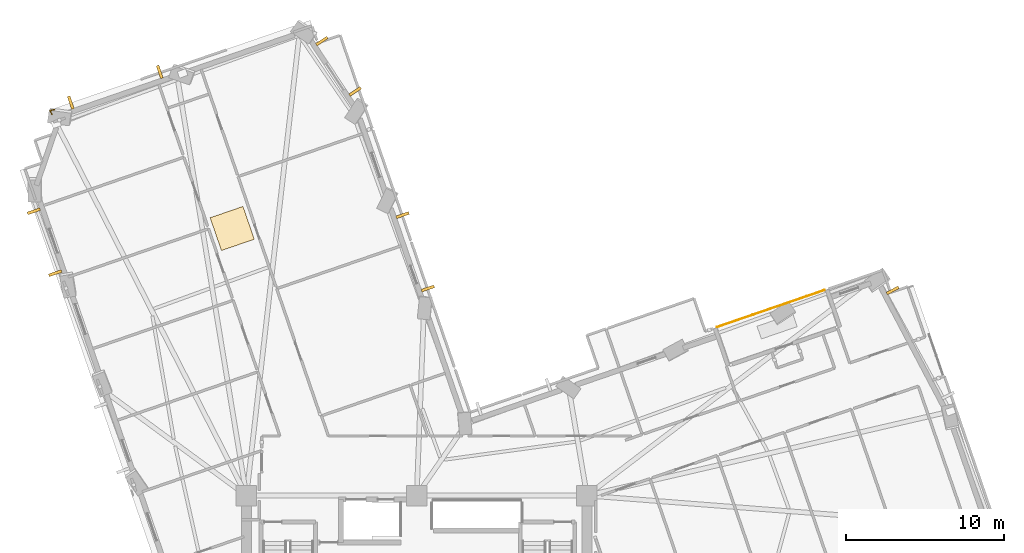
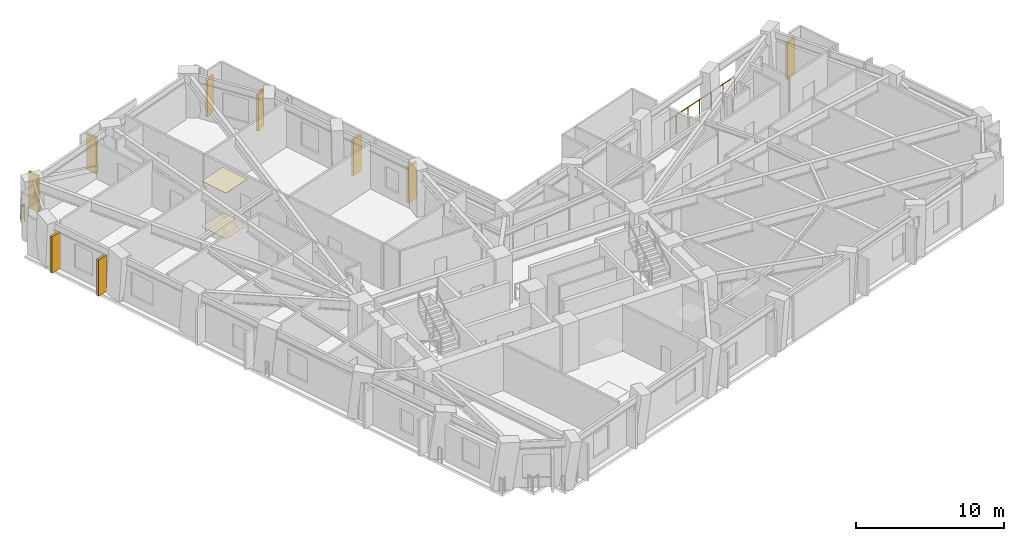
# One storey, part 14 of 15: 9 shading devices, 2 coverings, 2 railings.
"""IFC4 building model written with IfcOpenShell, lengths in metres."""

import ifcopenshell
import ifcopenshell.guid

model = None  # the IFC model being written
_history = None  # IfcOwnerHistory: only IFC2X3 demands one
_inside = {}  # id of a spatial element -> (the spatial element, [elements in it])
_under = {}  # id of a project, library or spatial element -> (it, [spatial elements below it])
_declared = {}  # id of a project -> (the project, [libraries it declares])
_typed = {}  # id of a type object -> (the type object, [elements of that type])
_made_of = {}  # id of a material, layer set ... -> (it, [elements and type objects made of it])


def new_model(schema):
    """Start an empty IFC model of exactly this schema.

    Asked for "IFC4X3", IfcOpenShell would pick the latest addendum, in which some entities
    have other attributes; the version numbers below select the first issue.
    IFC2X3 requires an IfcOwnerHistory on every rooted entity: one is made here for all.
    """
    global model, _history
    if schema == "IFC4X3":
        model = ifcopenshell.file(schema_version=(4, 3, 0, 0))
    else:
        model = ifcopenshell.file(schema=schema)
    _inside.clear()
    _under.clear()
    _declared.clear()
    _typed.clear()
    _made_of.clear()
    _history = None
    if model.schema == "IFC2X3":
        org = make("IfcOrganization", Name="unknown")
        user = make(
            "IfcPersonAndOrganization",
            ThePerson=make("IfcPerson", FamilyName="unknown"),
            TheOrganization=org,
        )
        app = make(
            "IfcApplication",
            ApplicationDeveloper=org,
            Version="unknown",
            ApplicationFullName="unknown",
            ApplicationIdentifier="unknown",
        )
        _history = make(
            "IfcOwnerHistory",
            OwningUser=user,
            OwningApplication=app,
            ChangeAction="ADDED",
            CreationDate=0,
        )
    return model


def make(cls, **values):
    """One entity of the class cls with the attributes given. An attribute that is None is left unset."""
    return model.create_entity(
        cls, **{name: value for name, value in values.items() if value is not None}
    )


def rooted(cls, **values):
    """An entity with a GlobalId (a new one), such as an element, a storey or a relation."""
    return make(cls, GlobalId=ifcopenshell.guid.new(), OwnerHistory=_history, **values)


def si_unit(unit_type, name, prefix=None):
    """IfcSIUnit, for example si_unit("LENGTHUNIT", "METRE", prefix="MILLI")."""
    return make("IfcSIUnit", UnitType=unit_type, Prefix=prefix, Name=name)


def assignment(units):
    """IfcUnitAssignment: the units of a project."""
    return None if units is None else make("IfcUnitAssignment", Units=units)


def point(xyz):
    """IfcCartesianPoint."""
    return None if xyz is None else make("IfcCartesianPoint", Coordinates=xyz)


def direction(xyz):
    """IfcDirection."""
    return None if xyz is None else make("IfcDirection", DirectionRatios=xyz)


def frame(location, z_axis=None, x_axis=None):
    """IfcAxis2Placement3D, a coordinate frame: its origin and axes. An axis left out is left unset."""
    return make(
        "IfcAxis2Placement3D",
        Location=point(location),
        Axis=direction(z_axis),
        RefDirection=direction(x_axis),
    )


def frame_2d(location, x_axis=None):
    """IfcAxis2Placement2D, a coordinate frame in the plane: its origin and x axis."""
    return make(
        "IfcAxis2Placement2D", Location=point(location), RefDirection=direction(x_axis)
    )


def origin():
    """The frame at (0, 0, 0) with its axes left unset."""
    return frame((0.0, 0.0, 0.0))


def origin_2d():
    """The frame at (0, 0) in the plane with its x axis left unset."""
    return frame_2d((0.0, 0.0))


def place(relative_to, where):
    """IfcLocalPlacement: puts the frame where relative to a parent placement (None: the world)."""
    return make(
        "IfcLocalPlacement", PlacementRelTo=relative_to, RelativePlacement=where
    )


def context(
    kind, dimensions, precision=None, world=None, true_north=None, identifier=None
):
    """IfcGeometricRepresentationContext, for example the 3D "Model" context."""
    return make(
        "IfcGeometricRepresentationContext",
        ContextIdentifier=identifier,
        ContextType=kind,
        CoordinateSpaceDimension=dimensions,
        Precision=precision,
        WorldCoordinateSystem=world,
        TrueNorth=true_north,
    )


def subcontext(parent, identifier, kind, view, scale=None):
    """IfcGeometricRepresentationSubContext, for example "Body" below "Model"."""
    return make(
        "IfcGeometricRepresentationSubContext",
        ContextIdentifier=identifier,
        ContextType=kind,
        ParentContext=parent,
        TargetScale=scale,
        TargetView=view,
    )


def project(units=None, contexts=None):
    """IfcProject with its units and contexts."""
    return rooted(
        "IfcProject",
        Name="project",
        RepresentationContexts=contexts,
        UnitsInContext=assignment(units),
    )


def spatial(cls, under=None, at=None, **own):
    """A site, building, storey or space (cls), placed at a placement, below another one or the project."""
    s = rooted(cls, ObjectPlacement=at, **own)
    if under is not None:
        _under.setdefault(under.id(), (under, []))[1].append(s)
    return s


def profile(cls, at=None, kind="AREA", **sizes):
    """A parametric profile (cls). Its sizes go by their IFC names, for example OverallWidth=200.0."""
    return make(cls, ProfileType=kind, Position=at, **sizes)


def rectangle(**sizes):
    """IfcRectangleProfileDef."""
    return profile("IfcRectangleProfileDef", **sizes)


def circle(**sizes):
    """IfcCircleProfileDef."""
    return profile("IfcCircleProfileDef", **sizes)


def extrude(swept, where, along, depth):
    """IfcExtrudedAreaSolid: the profile swept, set in the frame where, extruded along a direction by depth."""
    return make(
        "IfcExtrudedAreaSolid",
        SweptArea=swept,
        Position=where,
        ExtrudedDirection=direction(along),
        Depth=depth,
    )


def shape(context_of_items, identifier, shape_type, items):
    """IfcShapeRepresentation: the items that make up one representation, for example the "Body"."""
    return make(
        "IfcShapeRepresentation",
        ContextOfItems=context_of_items,
        RepresentationIdentifier=identifier,
        RepresentationType=shape_type,
        Items=items,
    )


def material(Name=None, Category=None):
    """IfcMaterial."""
    return make("IfcMaterial", Name=Name, Category=Category)


def layer(
    of_material, thickness, ventilated=None, Name=None, Category=None, Priority=None
):
    """IfcMaterialLayer: one layer of a wall or slab, of a material (None: an air gap)."""
    return make(
        "IfcMaterialLayer",
        Material=of_material,
        LayerThickness=thickness,
        IsVentilated=ventilated,
        Name=Name,
        Category=Category,
        Priority=Priority,
    )


def layer_set(layers, Name=None):
    """IfcMaterialLayerSet."""
    return make("IfcMaterialLayerSet", MaterialLayers=layers, LayerSetName=Name)


def made_of(thing, what):
    """Note that an element or type object is made of a material, layer set ...; save() writes the relation."""
    if what is not None:
        _made_of.setdefault(what.id(), (what, []))[1].append(thing)
    return thing


def type_object(cls, material=None, **own):
    """A type object (cls), such as IfcWallType, which elements share."""
    return made_of(rooted(cls, **own), material)


def element(
    cls,
    number,
    at=None,
    inside=None,
    cuts=None,
    type_object=None,
    material=None,
    context=None,
    identifier="Body",
    shape_type=None,
    held_by="IfcProductDefinitionShape",
    body=None,
    shapes=None,
    **own,
):
    """One element of the class cls, such as IfcWall. Its Tag is "e" and its number.

    at: its placement. inside: the storey or other place that contains it. cuts: it is an
    opening in that element (IfcRelVoidsElement). A single representation is given by context,
    identifier, shape_type and body (its items); several are given by shapes. held_by: the class
    of the entity that holds the representations. save() writes the other relations.
    """
    e = rooted(cls, Tag="e%d" % number, ObjectPlacement=at, **own)
    if body is not None:
        shapes = [shape(context, identifier, shape_type, body)]
    if shapes is not None:
        e.Representation = make(held_by, Representations=shapes)
    if inside is not None:
        _inside.setdefault(inside.id(), (inside, []))[1].append(e)
    if cuts is not None:
        rooted(
            "IfcRelVoidsElement", RelatingBuildingElement=cuts, RelatedOpeningElement=e
        )
    if type_object is not None:
        _typed.setdefault(type_object.id(), (type_object, []))[1].append(e)
    return made_of(e, material)


def aggregate(whole, parts):
    """IfcRelAggregates: a whole, such as a stair, and the parts it consists of."""
    return rooted("IfcRelAggregates", RelatingObject=whole, RelatedObjects=parts)


def save(model, path):
    """Write the relations noted so far, then the file.

    IfcRelAggregates (storeys below a building ...), IfcRelContainedInSpatialStructure (elements
    in a storey), IfcRelDefinesByType, IfcRelAssociatesMaterial and IfcRelDeclares: one each for
    every whole, place, type object, material and project.
    """
    for whole, parts in _under.values():
        aggregate(whole, parts)
    for where, things in _inside.values():
        rooted(
            "IfcRelContainedInSpatialStructure",
            RelatedElements=things,
            RelatingStructure=where,
        )
    for kind, things in _typed.values():
        rooted("IfcRelDefinesByType", RelatedObjects=things, RelatingType=kind)
    for what, things in _made_of.values():
        rooted("IfcRelAssociatesMaterial", RelatedObjects=things, RelatingMaterial=what)
    for by, libraries in _declared.values():
        rooted("IfcRelDeclares", RelatingContext=by, RelatedDefinitions=libraries)
    model.write(path)


model = new_model("IFC4")

# Units and contexts
model_context = context("Model", 3, precision=1e-05, world=origin(), true_north=direction((0.0, 1.0)))
body_context = subcontext(model_context, "Body", "Model", "MODEL_VIEW")
ifc_project = project(units=[si_unit("LENGTHUNIT", "METRE"), si_unit("AREAUNIT", "SQUARE_METRE"), si_unit("VOLUMEUNIT", "CUBIC_METRE"), si_unit("PLANEANGLEUNIT", "RADIAN"), si_unit("MASSUNIT", "GRAM", prefix="KILO")], contexts=[model_context])

# Site, building, storey
site_placement = place(None, origin())
site = spatial("IfcSite", under=ifc_project, at=site_placement, CompositionType="ELEMENT")
building_placement = place(site_placement, origin())
building = spatial("IfcBuilding", under=site, at=building_placement, Name="Gaonmaruhae Medical Tower", CompositionType="ELEMENT")
storey_placement = place(building_placement, frame((0.0, 0.0, 104.39990234375)))
storey = spatial("IfcBuildingStorey", under=building, at=storey_placement, Name="L24", CompositionType="ELEMENT", Elevation=104.39990234375)

# Coverings
ifc_material_1 = material(Name="Acoustic mineral ceiling tile", Category="finish")
ifc_layer_1 = layer(ifc_material_1, 0.02490234375)
ifc_layer_set_1 = layer_set([ifc_layer_1], Name="Acoustic mineral ceiling tile")
covering_type_1 = type_object("IfcCoveringType", Name="CLG-01 Antimicrobial Acoustic Mineral Ceiling", PredefinedType="CEILING", material=ifc_layer_set_1)
covering_1_placement = place(storey_placement, frame((13.097412109375, 33.739990234375, 3.755126953125), z_axis=(0.0, 0.0, 1.0), x_axis=(0.945518575599, 0.325568154457, 0.0)))
element("IfcCovering", 1, at=covering_1_placement, inside=storey, type_object=covering_type_1, Name="L24 Clinical Corridor Acoustic Ceiling", PredefinedType="CEILING", context=body_context, shape_type="SweptSolid", body=[
    extrude(rectangle(XDim=2.199951171875, YDim=2.199951171875, at=origin_2d()), origin(), (0.0, 0.0, 1.0), 0.02490234375),
])
ifc_material_2 = material(Name="Seamless clinical vinyl flooring", Category="finish")
ifc_layer_2 = layer(ifc_material_2, 0.014892578125)
ifc_layer_set_2 = layer_set([ifc_layer_2], Name="Seamless clinical vinyl flooring")
covering_type_2 = type_object("IfcCoveringType", Name="FLR-01 Seamless Clinical Antistatic Vinyl Flooring", PredefinedType="FLOORING", material=ifc_layer_set_2)
covering_2_placement = place(storey_placement, frame((13.097412109375, 33.739990234375, 0.00048828125), z_axis=(0.0, 0.0, 1.0), x_axis=(0.945518575599, 0.325568154457, 0.0)))
element("IfcCovering", 2, at=covering_2_placement, inside=storey, type_object=covering_type_2, Name="L24 Clinical Corridor Vinyl Flooring", PredefinedType="FLOORING", context=body_context, shape_type="SweptSolid", body=[
    extrude(rectangle(XDim=2.199951171875, YDim=2.199951171875, at=origin_2d()), origin(), (0.0, 0.0, 1.0), 0.014892578125),
])

# Railings
ifc_material_3 = material(Name="Stainless steel 316L and laminated safety glass", Category="steel")
ifc_layer_3 = layer(ifc_material_3, 0.080078125)
ifc_layer_set_3 = layer_set([ifc_layer_3], Name="Stainless steel 316L and laminated safety glass")
railing_type_1 = type_object("IfcRailingType", Name="GD-120 Outdoor Terrace Safety Glass & Steel Balustrade", PredefinedType="BALUSTRADE", material=ifc_layer_set_3)
railing_1_placement = place(storey_placement, frame((1.667724609375, 40.964599609375, 0.0)))
element("IfcRailing", 3, at=railing_1_placement, inside=storey, type_object=railing_type_1, Name="L24 Perimeter Corner Safety Balustrade 13", PredefinedType="BALUSTRADE", context=body_context, shape_type="SweptSolid", body=[
    extrude(circle(Radius=0.02392578125, at=origin_2d()), frame((0.0, 0.0, 1.17578125), z_axis=(-0.438691616602, 0.898637671992, 0.0), x_axis=(-0.898637671992, -0.438691616602, 0.0)), (0.0, 0.0, 1.0), 0.287109375),
    extrude(circle(Radius=0.02392578125, at=origin_2d()), frame((-0.1259765625, 0.258056640625, 1.17578125), z_axis=(0.978260257298, 0.207380975483, 0.0), x_axis=(-0.207380975483, 0.978260257298, 0.0)), (0.0, 0.0, 1.0), 0.287353515625),
    extrude(circle(Radius=0.02099609375, at=origin_2d()), origin(), (0.0, 0.0, 1.0), 1.15185546875),
    extrude(circle(Radius=0.02099609375, at=origin_2d()), frame((-0.1259765625, 0.258056640625, 0.0)), (0.0, 0.0, 1.0), 1.15185546875),
    extrude(circle(Radius=0.02099609375, at=origin_2d()), frame((0.155029296875, 0.317626953125, 0.0)), (0.0, 0.0, 1.0), 1.15185546875),
])
ifc_layer_4 = layer(ifc_material_3, 0.080078125)
ifc_layer_set_4 = layer_set([ifc_layer_4], Name="Stainless steel 316L and laminated safety glass")
railing_type_2 = type_object("IfcRailingType", Name="GD-155 Planter-Edge Raised Safety Balustrade", PredefinedType="BALUSTRADE", material=ifc_layer_set_4)
railing_2_placement = place(storey_placement, frame((50.674560546875, 29.833251953125, 0.0)))
element("IfcRailing", 4, at=railing_2_placement, inside=storey, type_object=railing_type_2, Name="L24 Terrace Safety Guard RL-SLB-L24-TER-03", PredefinedType="BALUSTRADE", context=body_context, shape_type="SweptSolid", body=[
    extrude(circle(Radius=0.02392578125, at=origin_2d()), frame((0.0, 0.0, 1.52587890625), z_axis=(-0.945510550143, -0.325591461142, 0.0), x_axis=(0.325591461142, -0.945510550143, 0.0)), (0.0, 0.0, 1.0), 7.199951171875),
    extrude(circle(Radius=0.02099609375, at=origin_2d()), origin(), (0.0, 0.0, 1.0), 1.501953125),
    extrude(circle(Radius=0.02099609375, at=origin_2d()), frame((-1.134521484375, -0.390625, 0.0)), (0.0, 0.0, 1.0), 1.501953125),
    extrude(circle(Radius=0.02099609375, at=origin_2d()), frame((-2.269287109375, -0.781494140625, 0.0)), (0.0, 0.0, 1.0), 1.501953125),
    extrude(circle(Radius=0.02099609375, at=origin_2d()), frame((-3.40380859375, -1.172119140625, 0.0)), (0.0, 0.0, 1.0), 1.501953125),
    extrude(circle(Radius=0.02099609375, at=origin_2d()), frame((-4.538330078125, -1.562744140625, 0.0)), (0.0, 0.0, 1.0), 1.501953125),
    extrude(circle(Radius=0.02099609375, at=origin_2d()), frame((-5.673095703125, -1.95361328125, 0.0)), (0.0, 0.0, 1.0), 1.501953125),
    extrude(circle(Radius=0.02099609375, at=origin_2d()), frame((-6.8076171875, -2.34423828125, 0.0)), (0.0, 0.0, 1.0), 1.501953125),
])

# Shading devices
ifc_material_4 = material(Name="Pigmented coral precast concrete C45/55", Category="concrete")
shading_device_type = type_object("IfcShadingDeviceType", Name="SD-FIN1 Tower Vertical Coral Precast Shading Fin", PredefinedType="USERDEFINED", material=ifc_material_4)
for number, where, z_axis, x_axis, name in (
    (5, (54.99072265625, 29.81201171875, 0.08251953125), (0.0, 0.0, 1.0), (0.466232244732, -0.884662361566, 0.0), "L24 Vertical Coral Precast Shading Fin E02"),
    (6, (23.900390625, 34.586669921875, 0.08251953125), (0.0, 0.0, 1.0), (0.325568154457, -0.945518575599, 0.0), "L24 Vertical Coral Precast Shading Fin NE01"),
    (7, (25.5029296875, 29.93212890625, 0.08251953125), (0.0, 0.0, 1.0), (0.325568154457, -0.945518575599, 0.0), "L24 Vertical Coral Precast Shading Fin NE01B"),
    (8, (18.784423828125, 45.6279296875, 0.08251953125), (0.0, 0.0, 1.0), (0.550203863787, -0.835030363684, 0.0), "L24 Vertical Coral Precast Shading Fin NE03"),
    (9, (20.89111328125, 42.430908203125, 0.08251953125), (0.0, 0.0, 1.0), (0.550203863787, -0.835030363684, 0.0), "L24 Vertical Coral Precast Shading Fin NE03B"),
    (10, (2.856689453125, 41.728271484375, 0.08251953125), (0.0, 0.0, 1.0), (0.945518575599, 0.325568154457, 0.0), "L24 Vertical Coral Precast Shading Fin N02"),
    (11, (8.501708984375, 43.671875, 0.08251953125), (0.0, 0.0, 1.0), (0.945518575599, 0.325568154457, 0.0), "L24 Vertical Coral Precast Shading Fin N02B"),
    (12, (1.869140625, 30.90380859375, 0.08251953125), (0.0, 0.0, 1.0), (-0.32558465682, 0.945512893219, 0.0), "L24 Vertical Coral Precast Shading Fin W01"),
    (13, (0.51611328125, 34.8330078125, 0.08251953125), (0.0, 0.0, 1.0), (-0.32558465682, 0.945512893219, 0.0), "L24 Vertical Coral Precast Shading Fin W01B"),
):
    element("IfcShadingDevice", number, at=place(storey_placement, frame(where, z_axis=z_axis, x_axis=x_axis)), inside=storey, type_object=shading_device_type, Name=name, ObjectType="FIN", PredefinedType="USERDEFINED", context=body_context, shape_type="SweptSolid", body=[
        extrude(rectangle(XDim=0.179931640625, YDim=0.85009765625, at=origin_2d()), origin(), (0.0, 0.0, 1.0), 3.0),
    ])

save(model, "model.ifc")
